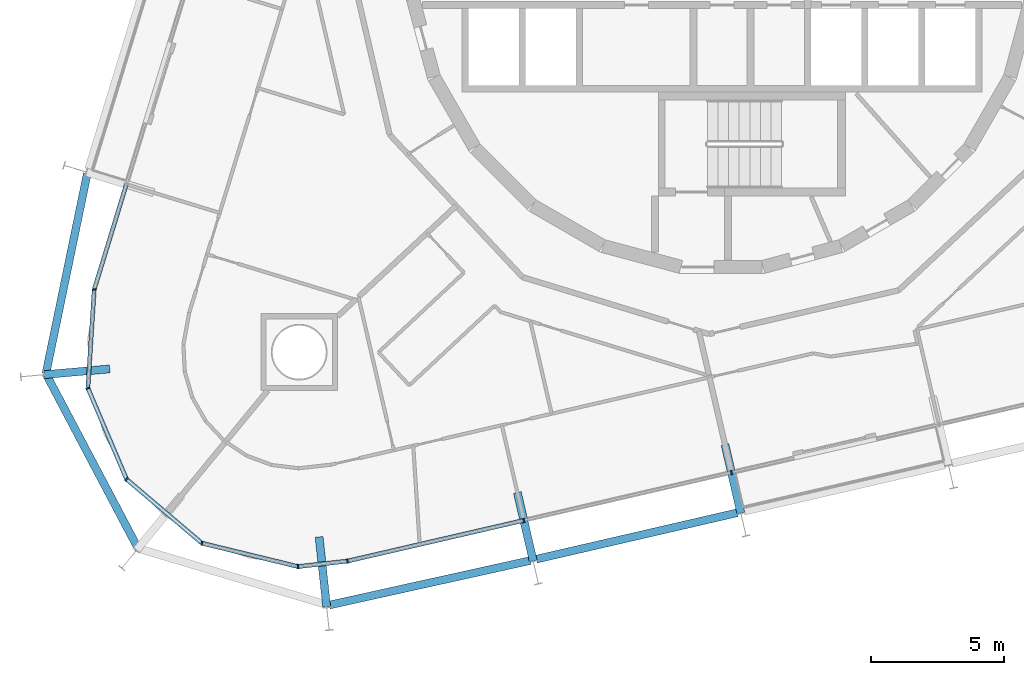
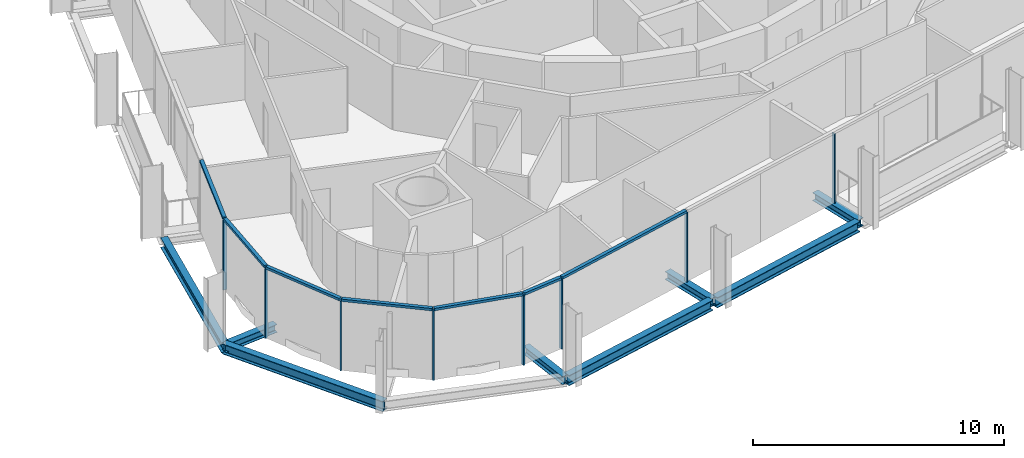
# One storey, part 3 of 18: 15 members, 8 beams, 2 elements without a shape of their own.
"""IFC4 building model written with IfcOpenShell, lengths in metres."""

import ifcopenshell
import ifcopenshell.guid

model = None  # the IFC model being written
_history = None  # IfcOwnerHistory: only IFC2X3 demands one
_inside = {}  # id of a spatial element -> (the spatial element, [elements in it])
_under = {}  # id of a project, library or spatial element -> (it, [spatial elements below it])
_declared = {}  # id of a project -> (the project, [libraries it declares])
_typed = {}  # id of a type object -> (the type object, [elements of that type])
_made_of = {}  # id of a material, layer set ... -> (it, [elements and type objects made of it])


def new_model(schema):
    """Start an empty IFC model of exactly this schema.

    Asked for "IFC4X3", IfcOpenShell would pick the latest addendum, in which some entities
    have other attributes; the version numbers below select the first issue.
    IFC2X3 requires an IfcOwnerHistory on every rooted entity: one is made here for all.
    """
    global model, _history
    if schema == "IFC4X3":
        model = ifcopenshell.file(schema_version=(4, 3, 0, 0))
    else:
        model = ifcopenshell.file(schema=schema)
    _inside.clear()
    _under.clear()
    _declared.clear()
    _typed.clear()
    _made_of.clear()
    _history = None
    if model.schema == "IFC2X3":
        org = make("IfcOrganization", Name="unknown")
        user = make(
            "IfcPersonAndOrganization",
            ThePerson=make("IfcPerson", FamilyName="unknown"),
            TheOrganization=org,
        )
        app = make(
            "IfcApplication",
            ApplicationDeveloper=org,
            Version="unknown",
            ApplicationFullName="unknown",
            ApplicationIdentifier="unknown",
        )
        _history = make(
            "IfcOwnerHistory",
            OwningUser=user,
            OwningApplication=app,
            ChangeAction="ADDED",
            CreationDate=0,
        )
    return model


def make(cls, **values):
    """One entity of the class cls with the attributes given. An attribute that is None is left unset."""
    return model.create_entity(
        cls, **{name: value for name, value in values.items() if value is not None}
    )


def rooted(cls, **values):
    """An entity with a GlobalId (a new one), such as an element, a storey or a relation."""
    return make(cls, GlobalId=ifcopenshell.guid.new(), OwnerHistory=_history, **values)


def si_unit(unit_type, name, prefix=None):
    """IfcSIUnit, for example si_unit("LENGTHUNIT", "METRE", prefix="MILLI")."""
    return make("IfcSIUnit", UnitType=unit_type, Prefix=prefix, Name=name)


def assignment(units):
    """IfcUnitAssignment: the units of a project."""
    return None if units is None else make("IfcUnitAssignment", Units=units)


def point(xyz):
    """IfcCartesianPoint."""
    return None if xyz is None else make("IfcCartesianPoint", Coordinates=xyz)


def direction(xyz):
    """IfcDirection."""
    return None if xyz is None else make("IfcDirection", DirectionRatios=xyz)


def frame(location, z_axis=None, x_axis=None):
    """IfcAxis2Placement3D, a coordinate frame: its origin and axes. An axis left out is left unset."""
    return make(
        "IfcAxis2Placement3D",
        Location=point(location),
        Axis=direction(z_axis),
        RefDirection=direction(x_axis),
    )


def frame_2d(location, x_axis=None):
    """IfcAxis2Placement2D, a coordinate frame in the plane: its origin and x axis."""
    return make(
        "IfcAxis2Placement2D", Location=point(location), RefDirection=direction(x_axis)
    )


def origin():
    """The frame at (0, 0, 0) with its axes left unset."""
    return frame((0.0, 0.0, 0.0))


def origin_2d():
    """The frame at (0, 0) in the plane with its x axis left unset."""
    return frame_2d((0.0, 0.0))


def place(relative_to, where):
    """IfcLocalPlacement: puts the frame where relative to a parent placement (None: the world)."""
    return make(
        "IfcLocalPlacement", PlacementRelTo=relative_to, RelativePlacement=where
    )


def context(
    kind, dimensions, precision=None, world=None, true_north=None, identifier=None
):
    """IfcGeometricRepresentationContext, for example the 3D "Model" context."""
    return make(
        "IfcGeometricRepresentationContext",
        ContextIdentifier=identifier,
        ContextType=kind,
        CoordinateSpaceDimension=dimensions,
        Precision=precision,
        WorldCoordinateSystem=world,
        TrueNorth=true_north,
    )


def subcontext(parent, identifier, kind, view, scale=None):
    """IfcGeometricRepresentationSubContext, for example "Body" below "Model"."""
    return make(
        "IfcGeometricRepresentationSubContext",
        ContextIdentifier=identifier,
        ContextType=kind,
        ParentContext=parent,
        TargetScale=scale,
        TargetView=view,
    )


def project(units=None, contexts=None):
    """IfcProject with its units and contexts."""
    return rooted(
        "IfcProject",
        Name="project",
        RepresentationContexts=contexts,
        UnitsInContext=assignment(units),
    )


def spatial(cls, under=None, at=None, **own):
    """A site, building, storey or space (cls), placed at a placement, below another one or the project."""
    s = rooted(cls, ObjectPlacement=at, **own)
    if under is not None:
        _under.setdefault(under.id(), (under, []))[1].append(s)
    return s


def profile(cls, at=None, kind="AREA", **sizes):
    """A parametric profile (cls). Its sizes go by their IFC names, for example OverallWidth=200.0."""
    return make(cls, ProfileType=kind, Position=at, **sizes)


def rectangle(**sizes):
    """IfcRectangleProfileDef."""
    return profile("IfcRectangleProfileDef", **sizes)


def i_section(**sizes):
    """IfcIShapeProfileDef."""
    return profile("IfcIShapeProfileDef", **sizes)


def extrude(swept, where, along, depth):
    """IfcExtrudedAreaSolid: the profile swept, set in the frame where, extruded along a direction by depth."""
    return make(
        "IfcExtrudedAreaSolid",
        SweptArea=swept,
        Position=where,
        ExtrudedDirection=direction(along),
        Depth=depth,
    )


def shape(context_of_items, identifier, shape_type, items):
    """IfcShapeRepresentation: the items that make up one representation, for example the "Body"."""
    return make(
        "IfcShapeRepresentation",
        ContextOfItems=context_of_items,
        RepresentationIdentifier=identifier,
        RepresentationType=shape_type,
        Items=items,
    )


def material(Name=None, Category=None):
    """IfcMaterial."""
    return make("IfcMaterial", Name=Name, Category=Category)


def layer(
    of_material, thickness, ventilated=None, Name=None, Category=None, Priority=None
):
    """IfcMaterialLayer: one layer of a wall or slab, of a material (None: an air gap)."""
    return make(
        "IfcMaterialLayer",
        Material=of_material,
        LayerThickness=thickness,
        IsVentilated=ventilated,
        Name=Name,
        Category=Category,
        Priority=Priority,
    )


def layer_set(layers, Name=None):
    """IfcMaterialLayerSet."""
    return make("IfcMaterialLayerSet", MaterialLayers=layers, LayerSetName=Name)


def material_profile(
    of_material, cross_section, Name=None, Category=None, Priority=None
):
    """IfcMaterialProfile: a cross section and its material."""
    return make(
        "IfcMaterialProfile",
        Name=Name,
        Material=of_material,
        Profile=cross_section,
        Priority=Priority,
        Category=Category,
    )


def profile_set(profiles, Name=None, composite=None):
    """IfcMaterialProfileSet."""
    return make(
        "IfcMaterialProfileSet",
        Name=Name,
        MaterialProfiles=profiles,
        CompositeProfile=composite,
    )


def made_of(thing, what):
    """Note that an element or type object is made of a material, layer set ...; save() writes the relation."""
    if what is not None:
        _made_of.setdefault(what.id(), (what, []))[1].append(thing)
    return thing


def type_object(cls, material=None, **own):
    """A type object (cls), such as IfcWallType, which elements share."""
    return made_of(rooted(cls, **own), material)


def element(
    cls,
    number,
    at=None,
    inside=None,
    cuts=None,
    type_object=None,
    material=None,
    context=None,
    identifier="Body",
    shape_type=None,
    held_by="IfcProductDefinitionShape",
    body=None,
    shapes=None,
    **own,
):
    """One element of the class cls, such as IfcWall. Its Tag is "e" and its number.

    at: its placement. inside: the storey or other place that contains it. cuts: it is an
    opening in that element (IfcRelVoidsElement). A single representation is given by context,
    identifier, shape_type and body (its items); several are given by shapes. held_by: the class
    of the entity that holds the representations. save() writes the other relations.
    """
    e = rooted(cls, Tag="e%d" % number, ObjectPlacement=at, **own)
    if body is not None:
        shapes = [shape(context, identifier, shape_type, body)]
    if shapes is not None:
        e.Representation = make(held_by, Representations=shapes)
    if inside is not None:
        _inside.setdefault(inside.id(), (inside, []))[1].append(e)
    if cuts is not None:
        rooted(
            "IfcRelVoidsElement", RelatingBuildingElement=cuts, RelatedOpeningElement=e
        )
    if type_object is not None:
        _typed.setdefault(type_object.id(), (type_object, []))[1].append(e)
    return made_of(e, material)


def aggregate(whole, parts):
    """IfcRelAggregates: a whole, such as a stair, and the parts it consists of."""
    return rooted("IfcRelAggregates", RelatingObject=whole, RelatedObjects=parts)


def save(model, path):
    """Write the relations noted so far, then the file.

    IfcRelAggregates (storeys below a building ...), IfcRelContainedInSpatialStructure (elements
    in a storey), IfcRelDefinesByType, IfcRelAssociatesMaterial and IfcRelDeclares: one each for
    every whole, place, type object, material and project.
    """
    for whole, parts in _under.values():
        aggregate(whole, parts)
    for where, things in _inside.values():
        rooted(
            "IfcRelContainedInSpatialStructure",
            RelatedElements=things,
            RelatingStructure=where,
        )
    for kind, things in _typed.values():
        rooted("IfcRelDefinesByType", RelatedObjects=things, RelatingType=kind)
    for what, things in _made_of.values():
        rooted("IfcRelAssociatesMaterial", RelatedObjects=things, RelatingMaterial=what)
    for by, libraries in _declared.values():
        rooted("IfcRelDeclares", RelatingContext=by, RelatedDefinitions=libraries)
    model.write(path)


model = new_model("IFC4")

# Units and contexts
model_context = context("Model", 3, precision=1e-05, world=origin(), true_north=direction((0.0, 1.0)))
body_context = subcontext(model_context, "Body", "Model", "MODEL_VIEW")
ifc_project = project(units=[si_unit("LENGTHUNIT", "METRE"), si_unit("AREAUNIT", "SQUARE_METRE"), si_unit("VOLUMEUNIT", "CUBIC_METRE"), si_unit("PLANEANGLEUNIT", "RADIAN"), si_unit("MASSUNIT", "GRAM", prefix="KILO")], contexts=[model_context])

# Site, building, storey
site_placement = place(None, origin())
site = spatial("IfcSite", under=ifc_project, at=site_placement, CompositionType="ELEMENT")
building_placement = place(site_placement, origin())
building = spatial("IfcBuilding", under=site, at=building_placement, Name="Spindle Arch Residences", CompositionType="ELEMENT")
storey_placement = place(building_placement, frame((0.0, 0.0, 116.89990234375)))
storey = spatial("IfcBuildingStorey", under=building, at=storey_placement, Name="L28", CompositionType="ELEMENT", Elevation=116.89990234375)

# Curtain wall, members
ifc_material_1 = material(Name="Aluminium bronze unitised frame with tinted glass", Category="aluminium")
ifc_layer_1 = layer(ifc_material_1, 0.159912109375)
ifc_layer_set_1 = layer_set([ifc_layer_1], Name="CW-D corner wall on the fillet arcs")
curtain_wall_type_1 = type_object("IfcCurtainWallType", Name="CW-D corner wall on the fillet arcs", PredefinedType="NOTDEFINED", material=ifc_layer_set_1)
curtain_wall_1_placement = place(storey_placement, origin())
curtain_wall_1 = element("IfcCurtainWall", 1, at=curtain_wall_1_placement, inside=storey, type_object=curtain_wall_type_1, Name="CW-D L28 run 5", PredefinedType="NOTDEFINED")
ifc_material_2 = material(Name="Aluminium bronze anodised mullion", Category="aluminium")
ifc_material_profile_1 = material_profile(ifc_material_2, rectangle(XDim=0.159912109375, YDim=0.06005859375, at=origin_2d()), Name="MU 60x160")
ifc_profile_set_1 = profile_set([ifc_material_profile_1], Name="Aluminium bronze anodised mullion")
member_type_1 = type_object("IfcMemberType", Name="Bronze mullion 60x160", PredefinedType="MULLION", material=ifc_profile_set_1)
member_1_placement = place(storey_placement, frame((-23.6572265625, -12.49267578125, -0.3798828125), z_axis=(0.0, 0.0, 1.0), x_axis=(0.997952993046, -0.063951729226, 0.0)))
member_1 = element("IfcMember", 2, at=member_1_placement, type_object=member_type_1, Name="CW-D mullion 01", PredefinedType="MULLION", context=body_context, shape_type="SweptSolid", body=[
    extrude(rectangle(XDim=0.159912109375, YDim=0.06005859375, at=origin_2d()), origin(), (0.0, 0.0, 1.0), 3.3798828125),
])
member_2_placement = place(storey_placement, frame((-23.8955078125, -16.2119140625, -0.3798828125), z_axis=(0.0, 0.0, 1.0), x_axis=(0.920504854032, 0.390731127124, 0.0)))
member_2 = element("IfcMember", 3, at=member_2_placement, type_object=member_type_1, Name="CW-D mullion 02", PredefinedType="MULLION", context=body_context, shape_type="SweptSolid", body=[
    extrude(rectangle(XDim=0.159912109375, YDim=0.06005859375, at=origin_2d()), origin(), (0.0, 0.0, 1.0), 3.3798828125),
])
member_3_placement = place(storey_placement, frame((-22.439208984375, -19.642333984375, -0.3798828125), z_axis=(0.0, 0.0, 1.0), x_axis=(0.647233374321, 0.762291912042, 0.0)))
member_3 = element("IfcMember", 4, at=member_3_placement, type_object=member_type_1, Name="CW-D mullion 03", PredefinedType="MULLION", context=body_context, shape_type="SweptSolid", body=[
    extrude(rectangle(XDim=0.159912109375, YDim=0.06005859375, at=origin_2d()), origin(), (0.0, 0.0, 1.0), 3.3798828125),
])
member_4_placement = place(storey_placement, frame((-19.598388671875, -22.054443359375, -0.3798828125), z_axis=(0.0, 0.0, 1.0), x_axis=(0.23627288281, 0.971686742139, 0.0)))
member_4 = element("IfcMember", 5, at=member_4_placement, type_object=member_type_1, Name="CW-D mullion 04", PredefinedType="MULLION", context=body_context, shape_type="SweptSolid", body=[
    extrude(rectangle(XDim=0.159912109375, YDim=0.06005859375, at=origin_2d()), origin(), (0.0, 0.0, 1.0), 3.3798828125),
])
member_5_placement = place(storey_placement, frame((-15.977294921875, -22.93505859375, -0.3798828125), z_axis=(0.0, 0.0, 1.0), x_axis=(-0.110312554381, 0.993896946542, 0.0)))
member_5 = element("IfcMember", 6, at=member_5_placement, type_object=member_type_1, Name="CW-D mullion 05", PredefinedType="MULLION", context=body_context, shape_type="SweptSolid", body=[
    extrude(rectangle(XDim=0.159912109375, YDim=0.06005859375, at=origin_2d()), origin(), (0.0, 0.0, 1.0), 3.3798828125),
])
member_6_placement = place(storey_placement, frame((-14.112548828125, -22.72802734375, -0.3798828125), z_axis=(0.0, 0.0, 1.0), x_axis=(-0.224951054344, 0.974370064785, 0.0)))
member_6 = element("IfcMember", 7, at=member_6_placement, type_object=member_type_1, Name="CW-D mullion 06", PredefinedType="MULLION", context=body_context, shape_type="SweptSolid", body=[
    extrude(rectangle(XDim=0.159912109375, YDim=0.06005859375, at=origin_2d()), origin(), (0.0, 0.0, 1.0), 3.3798828125),
])

ifc_material_3 = material(Name="Aluminium bronze unitised frame with tinted glass", Category="aluminium")
ifc_layer_2 = layer(ifc_material_3, 0.159912109375)
ifc_layer_set_2 = layer_set([ifc_layer_2], Name="CW-C typical residential unitised wall")
curtain_wall_type_2 = type_object("IfcCurtainWallType", Name="CW-C typical residential unitised wall", PredefinedType="NOTDEFINED", material=ifc_layer_set_2)
curtain_wall_2_placement = place(storey_placement, origin())
curtain_wall_2 = element("IfcCurtainWall", 8, at=curtain_wall_2_placement, inside=storey, type_object=curtain_wall_type_2, Name="CW-C L28 run 6", PredefinedType="NOTDEFINED")
member_7_placement = place(storey_placement, frame((-7.467529296875, -21.19384765625, -0.3798828125), z_axis=(0.0, 0.0, 1.0), x_axis=(-0.224951054344, 0.974370064785, 0.0)))
member_7 = element("IfcMember", 9, at=member_7_placement, type_object=member_type_1, Name="CW-C mullion 20", PredefinedType="MULLION", context=body_context, shape_type="SweptSolid", body=[
    extrude(rectangle(XDim=0.159912109375, YDim=0.06005859375, at=origin_2d()), origin(), (0.0, 0.0, 1.0), 3.3798828125),
])
member_8_placement = place(storey_placement, frame((0.355712890625, -19.3876953125, -0.3798828125), z_axis=(0.0, 0.0, 1.0), x_axis=(-0.224951054344, 0.974370064785, 0.0)))
member_8 = element("IfcMember", 10, at=member_8_placement, type_object=member_type_1, Name="CW-C mullion 21", PredefinedType="MULLION", context=body_context, shape_type="SweptSolid", body=[
    extrude(rectangle(XDim=0.159912109375, YDim=0.06005859375, at=origin_2d()), origin(), (0.0, 0.0, 1.0), 3.3798828125),
])
aggregate(curtain_wall_2, [member_7, member_8])

# Member
ifc_material_4 = material(Name="Aluminium bronze anodised transom", Category="aluminium")
ifc_material_profile_2 = material_profile(ifc_material_4, rectangle(XDim=0.159912109375, YDim=0.1201171875, at=origin_2d()), Name="TR 120x160")
ifc_profile_set_2 = profile_set([ifc_material_profile_2], Name="Aluminium bronze anodised transom")
member_type_2 = type_object("IfcMemberType", Name="Bronze transom 120x160", PredefinedType="USERDEFINED", material=ifc_profile_set_2)
member_9_placement = place(storey_placement, frame((-22.45458984375, -8.55908203125, 3.06005859375), z_axis=(-0.292362833345, -0.95630746817, 0.0), x_axis=(0.95630746817, -0.292362833345, 0.0)))
member_9 = element("IfcMember", 11, at=member_9_placement, type_object=member_type_2, Name="CW-D transom 00", ObjectType="TRANSOM", PredefinedType="USERDEFINED", context=body_context, shape_type="SweptSolid", body=[
    extrude(rectangle(XDim=0.159912109375, YDim=0.1201171875, at=origin_2d()), origin(), (0.0, 0.0, 1.0), 4.08349609375),
])

member_10_placement = place(storey_placement, frame((-23.6591796875, -12.522705078125, 3.06005859375), z_axis=(-0.063920256807, -0.997955009392, 0.0), x_axis=(0.997955009392, -0.063920256807, 0.0)))
member_10 = element("IfcMember", 12, at=member_10_placement, type_object=member_type_2, Name="CW-D transom 01", ObjectType="TRANSOM", PredefinedType="USERDEFINED", context=body_context, shape_type="SweptSolid", body=[
    extrude(rectangle(XDim=0.159912109375, YDim=0.1201171875, at=origin_2d()), origin(), (0.0, 0.0, 1.0), 3.666748046875),
])

member_11_placement = place(storey_placement, frame((-23.8837890625, -16.239501953125, 3.06005859375), z_axis=(0.39076699022, -0.920489630226, 0.0), x_axis=(0.920489630226, 0.39076699022, 0.0)))
member_11 = element("IfcMember", 13, at=member_11_placement, type_object=member_type_2, Name="CW-D transom 02", ObjectType="TRANSOM", PredefinedType="USERDEFINED", context=body_context, shape_type="SweptSolid", body=[
    extrude(rectangle(XDim=0.159912109375, YDim=0.1201171875, at=origin_2d()), origin(), (0.0, 0.0, 1.0), 3.666748046875),
])

member_12_placement = place(storey_placement, frame((-22.41650390625, -19.661865234375, 3.06005859375), z_axis=(0.762289120673, -0.647236661897, 0.0), x_axis=(0.647236661897, 0.762289120673, 0.0)))
member_12 = element("IfcMember", 14, at=member_12_placement, type_object=member_type_2, Name="CW-D transom 03", ObjectType="TRANSOM", PredefinedType="USERDEFINED", context=body_context, shape_type="SweptSolid", body=[
    extrude(rectangle(XDim=0.159912109375, YDim=0.1201171875, at=origin_2d()), origin(), (0.0, 0.0, 1.0), 3.666748046875),
])

member_13_placement = place(storey_placement, frame((-19.5693359375, -22.0615234375, 3.06005859375), z_axis=(0.971681239144, -0.236295513068, 0.0), x_axis=(0.236295513068, 0.971681239144, 0.0)))
member_13 = element("IfcMember", 15, at=member_13_placement, type_object=member_type_2, Name="CW-D transom 04", ObjectType="TRANSOM", PredefinedType="USERDEFINED", context=body_context, shape_type="SweptSolid", body=[
    extrude(rectangle(XDim=0.159912109375, YDim=0.1201171875, at=origin_2d()), origin(), (0.0, 0.0, 1.0), 3.666748046875),
])

member_14_placement = place(storey_placement, frame((-15.947509765625, -22.931640625, 3.06005859375), z_axis=(0.993906663087, 0.110224974808, 0.0), x_axis=(-0.110224974808, 0.993906663087, 0.0)))
member_14 = element("IfcMember", 16, at=member_14_placement, type_object=member_type_2, Name="CW-D transom 05", ObjectType="TRANSOM", PredefinedType="USERDEFINED", context=body_context, shape_type="SweptSolid", body=[
    extrude(rectangle(XDim=0.159912109375, YDim=0.1201171875, at=origin_2d()), origin(), (0.0, 0.0, 1.0), 1.816162109375),
])

member_15_placement = place(storey_placement, frame((-14.083251953125, -22.721435546875, 3.06005859375), z_axis=(0.974365014398, 0.224972928856, 0.0), x_axis=(-0.224972928856, 0.974365014398, 0.0)))
member_15 = element("IfcMember", 17, at=member_15_placement, type_object=member_type_2, Name="CW-D transom 06", ObjectType="TRANSOM", PredefinedType="USERDEFINED", context=body_context, shape_type="SweptSolid", body=[
    extrude(rectangle(XDim=0.159912109375, YDim=0.1201171875, at=origin_2d()), origin(), (0.0, 0.0, 1.0), 6.759765625),
])

aggregate(curtain_wall_1, [member_9, member_1, member_10, member_2, member_11, member_3, member_12, member_4, member_13, member_5, member_14, member_6, member_15])

# Beams
ifc_material_5 = material(Name="Steel S460ML, intumescent coating R 120", Category="steel")
ifc_material_profile_3 = material_profile(ifc_material_5, i_section(OverallWidth=0.300048828125, OverallDepth=0.5, WebThickness=0.014404296875, FlangeThickness=0.028076171875, FilletRadius=0.027099609375, at=origin_2d()), Name="HEB 500")
ifc_profile_set_3 = profile_set([ifc_material_profile_3], Name="Steel S460ML, intumescent coating R 120")
beam_type_1 = type_object("IfcBeamType", Name="Exoskeleton edge beam HEB 500", PredefinedType="BEAM", material=ifc_profile_set_3)
beam_1_placement = place(storey_placement, frame((-23.91650390625, -8.1181640625, -0.6298828125), z_axis=(-0.202483065161, -0.979285764383, 0.0), x_axis=(0.979285764383, -0.202483065161, 0.0)))
element("IfcBeam", 18, at=beam_1_placement, inside=storey, type_object=beam_type_1, Name="Exoskeleton edge beam 17", PredefinedType="BEAM", context=body_context, shape_type="SweptSolid", body=[
    extrude(i_section(OverallWidth=0.300048828125, OverallDepth=0.5, WebThickness=0.014404296875, FlangeThickness=0.028076171875, FilletRadius=0.027099609375, at=origin_2d()), origin(), (0.0, 0.0, 1.0), 7.708251953125),
])
beam_2_placement = place(storey_placement, frame((-25.4970703125, -15.62939453125, -0.6298828125), z_axis=(0.466652663296, -0.884440666093, 0.0), x_axis=(0.884440666093, 0.466652663296, 0.0)))
element("IfcBeam", 19, at=beam_2_placement, inside=storey, type_object=beam_type_1, Name="Exoskeleton edge beam 18", PredefinedType="BEAM", context=body_context, shape_type="SweptSolid", body=[
    extrude(i_section(OverallWidth=0.300048828125, OverallDepth=0.5, WebThickness=0.014404296875, FlangeThickness=0.028076171875, FilletRadius=0.027099609375, at=origin_2d()), origin(), (0.0, 0.0, 1.0), 7.559326171875),
])
beam_3_placement = place(storey_placement, frame((-14.804443359375, -24.385986328125, -0.6298828125), z_axis=(0.97635466486, 0.216174856093, 0.0), x_axis=(-0.216174856093, 0.97635466486, 0.0)))
element("IfcBeam", 20, at=beam_3_placement, inside=storey, type_object=beam_type_1, Name="Exoskeleton edge beam 20", PredefinedType="BEAM", context=body_context, shape_type="SweptSolid", body=[
    extrude(i_section(OverallWidth=0.300048828125, OverallDepth=0.5, WebThickness=0.014404296875, FlangeThickness=0.028076171875, FilletRadius=0.027099609375, at=origin_2d()), origin(), (0.0, 0.0, 1.0), 7.7666015625),
])
beam_4_placement = place(storey_placement, frame((-6.99658203125, -22.655517578125, -0.6298828125), z_axis=(0.974365237053, 0.224971964525, 0.0), x_axis=(-0.224971964525, 0.974365237053, 0.0)))
element("IfcBeam", 21, at=beam_4_placement, inside=storey, type_object=beam_type_1, Name="Exoskeleton edge beam 21", PredefinedType="BEAM", context=body_context, shape_type="SweptSolid", body=[
    extrude(i_section(OverallWidth=0.300048828125, OverallDepth=0.5, WebThickness=0.014404296875, FlangeThickness=0.028076171875, FilletRadius=0.027099609375, at=origin_2d()), origin(), (0.0, 0.0, 1.0), 7.76904296875),
])
ifc_material_6 = material(Name="Steel S460ML, intumescent coating R 120", Category="steel")
ifc_material_profile_4 = material_profile(ifc_material_6, i_section(OverallWidth=0.300048828125, OverallDepth=0.389892578125, WebThickness=0.010986328125, FlangeThickness=0.01904296875, FilletRadius=0.027099609375, at=origin_2d()), Name="HEA 400")
ifc_profile_set_4 = profile_set([ifc_material_profile_4], Name="Steel S460ML, intumescent coating R 120")
beam_type_2 = type_object("IfcBeamType", Name="Floor outrigger HEA 400", PredefinedType="BEAM", material=ifc_profile_set_4)
beam_5_placement = place(storey_placement, frame((-25.542724609375, -15.703369140625, -0.574951171875), z_axis=(0.996132127572, 0.087867994282, 0.0), x_axis=(-0.087867994282, 0.996132127572, 0.0)))
element("IfcBeam", 22, at=beam_5_placement, inside=storey, type_object=beam_type_2, Name="Floor outrigger 18", PredefinedType="BEAM", context=body_context, shape_type="SweptSolid", body=[
    extrude(i_section(OverallWidth=0.300048828125, OverallDepth=0.389892578125, WebThickness=0.010986328125, FlangeThickness=0.01904296875, FilletRadius=0.027099609375, at=origin_2d()), origin(), (0.0, 0.0, 1.0), 2.48388671875),
])
for number, where, z_axis, x_axis, name in (
    (23, (-14.898193359375, -24.44970703125, -0.574951171875), (-0.106962509845, 0.994263054472, 0.0), (-0.994263054472, -0.106962509845, 0.0), "Floor outrigger 20"),
    (24, (-7.1142578125, -22.7236328125, -0.574951171875), (-0.224980619228, 0.974363238721, 0.0), (-0.974363238721, -0.224980619228, 0.0), "Floor outrigger 21"),
    (25, (0.708984375, -20.91748046875, -0.574951171875), (-0.224980619228, 0.974363238721, 0.0), (-0.974363238721, -0.224980619228, 0.0), "Floor outrigger 22"),
):
    element("IfcBeam", number, at=place(storey_placement, frame(where, z_axis=z_axis, x_axis=x_axis)), inside=storey, type_object=beam_type_2, Name=name, PredefinedType="BEAM", context=body_context, shape_type="SweptSolid", body=[
        extrude(i_section(OverallWidth=0.300048828125, OverallDepth=0.389892578125, WebThickness=0.010986328125, FlangeThickness=0.01904296875, FilletRadius=0.027099609375, at=origin_2d()), origin(), (0.0, 0.0, 1.0), 2.64990234375),
    ])

save(model, "model.ifc")
